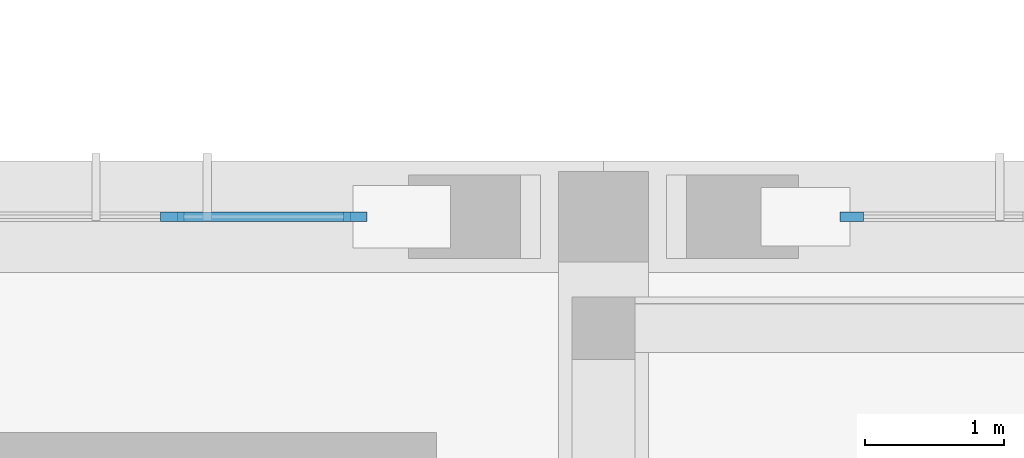
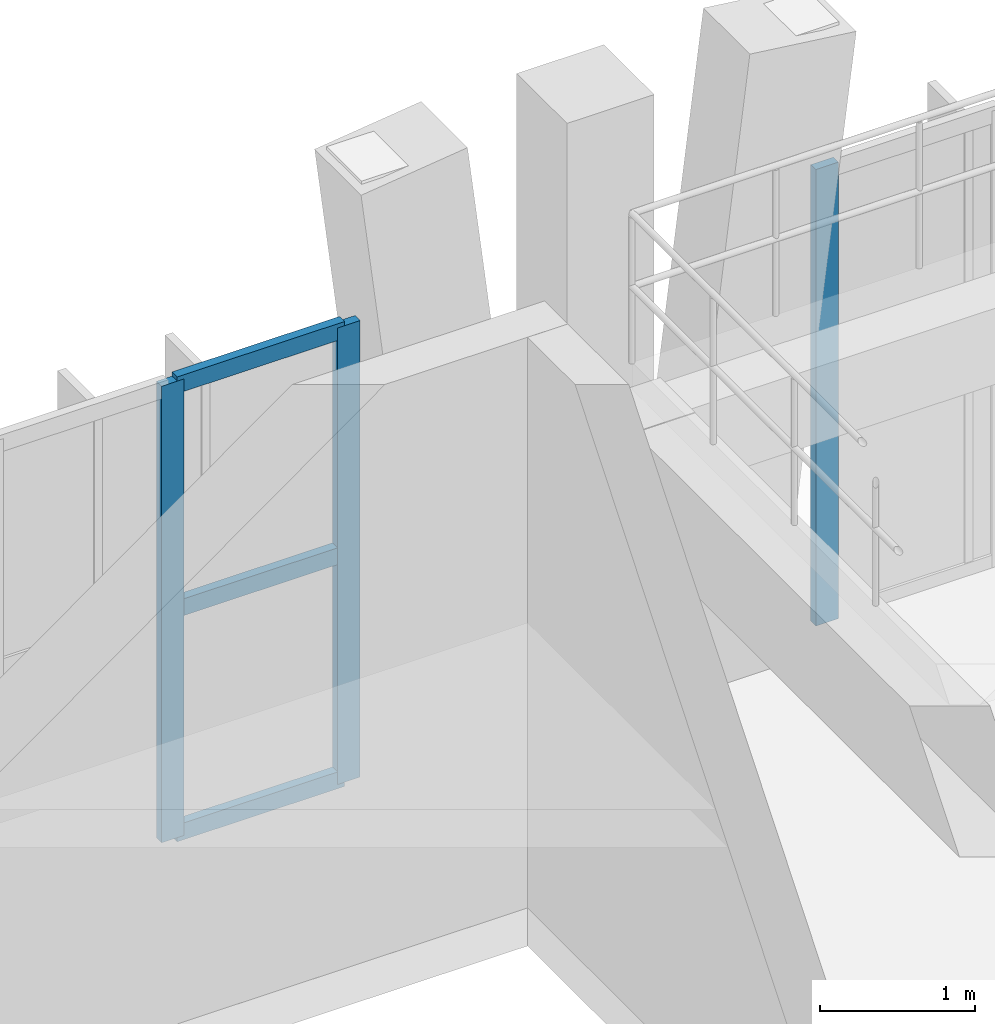
# One storey, part 21 of 81: 6 members, 2 elements without a shape of their own.
"""IFC4 building model written with IfcOpenShell, lengths in metres."""

from ifc_helpers import new_model, si_unit, direction, frame, origin, origin_2d, place, context, subcontext, project, spatial, rectangle, extrude, material, material_profile, profile_set, type_object, element, aggregate, save


model = new_model("IFC4")

# Units and contexts
model_context = context("Model", 3, precision=1e-05, world=origin(), true_north=direction((0.0, 1.0)))
body_context = subcontext(model_context, "Body", "Model", "MODEL_VIEW")
ifc_project = project(units=[si_unit("LENGTHUNIT", "METRE"), si_unit("AREAUNIT", "SQUARE_METRE"), si_unit("VOLUMEUNIT", "CUBIC_METRE"), si_unit("PLANEANGLEUNIT", "RADIAN"), si_unit("MASSUNIT", "GRAM", prefix="KILO")], contexts=[model_context])

# Site, building, storey
site_placement = place(None, origin())
site = spatial("IfcSite", under=ifc_project, at=site_placement, CompositionType="ELEMENT")
building_placement = place(site_placement, origin())
building = spatial("IfcBuilding", under=site, at=building_placement, Name="Vourika Railside Aquatics Centre", CompositionType="ELEMENT")
storey_placement = place(building_placement, frame((0.0, 0.0, 4.800048828125)))
storey = spatial("IfcBuildingStorey", under=building, at=storey_placement, Name="L01", CompositionType="ELEMENT", Elevation=4.800048828125)

# Curtain wall, members
ifc_material_1 = material(Name="Anodized thermally broken aluminium", Category="aluminium")
curtain_wall_type = type_object("IfcCurtainWallType", Name="CW-CRT1", PredefinedType="NOTDEFINED", material=ifc_material_1)
curtain_wall_1_placement = place(storey_placement, origin())
curtain_wall_1 = element("IfcCurtainWall", 1, at=curtain_wall_1_placement, inside=storey, type_object=curtain_wall_type, Name="Spectator Concourse Courtyard Curtain Wall 12", PredefinedType="NOTDEFINED")
ifc_material_2 = material(Name="Anodized aluminium mullion", Category="aluminium")
ifc_material_profile_1 = material_profile(ifc_material_2, rectangle(XDim=0.06591796875, YDim=0.16796875, at=origin_2d()), Name="ALU-M 66x168")
ifc_profile_set_1 = profile_set([ifc_material_profile_1], Name="Anodized aluminium mullion")
member_type_1 = type_object("IfcMemberType", Name="CWM-CRT1", PredefinedType="MULLION", material=ifc_profile_set_1)
member_1_placement = place(storey_placement, frame((124.217041015625, 66.0, 0.0), z_axis=(0.0, 0.0, 1.0), x_axis=(0.0, -1.0, 0.0)))
member_1 = element("IfcMember", 2, at=member_1_placement, type_object=member_type_1, Name="CW13 mullion 1", PredefinedType="MULLION", context=body_context, shape_type="SweptSolid", body=[
    extrude(rectangle(XDim=0.06591796875, YDim=0.16796875, at=origin_2d()), origin(), (0.0, 0.0, 1.0), 3.599853515625),
])
member_2_placement = place(storey_placement, frame((122.902587890625, 66.0, 0.0), z_axis=(0.0, 0.0, 1.0), x_axis=(0.0, -1.0, 0.0)))
member_2 = element("IfcMember", 3, at=member_2_placement, type_object=member_type_1, Name="CW13 mullion 2", PredefinedType="MULLION", context=body_context, shape_type="SweptSolid", body=[
    extrude(rectangle(XDim=0.06591796875, YDim=0.16796875, at=origin_2d()), origin(), (0.0, 0.0, 1.0), 3.599853515625),
])

# Curtain wall, member
curtain_wall_2_placement = place(storey_placement, origin())
curtain_wall_2 = element("IfcCurtainWall", 4, at=curtain_wall_2_placement, inside=storey, type_object=curtain_wall_type, Name="Spectator Concourse Courtyard Curtain Wall 13", PredefinedType="NOTDEFINED")
member_3_placement = place(storey_placement, frame((127.782958984375, 66.0, 0.0), z_axis=(0.0, 0.0, 1.0), x_axis=(0.0, -1.0, 0.0)))
member_3 = element("IfcMember", 5, at=member_3_placement, type_object=member_type_1, Name="CW13 mullion 5", PredefinedType="MULLION", context=body_context, shape_type="SweptSolid", body=[
    extrude(rectangle(XDim=0.06591796875, YDim=0.16796875, at=origin_2d()), origin(), (0.0, 0.0, 1.0), 3.599853515625),
])
aggregate(curtain_wall_2, [member_3])

# Member
ifc_material_3 = material(Name="Anodized aluminium transom", Category="aluminium")
ifc_material_profile_2 = material_profile(ifc_material_3, rectangle(XDim=0.06591796875, YDim=0.132080078125, at=origin_2d()), Name="ALU-T 66x132")
ifc_profile_set_2 = profile_set([ifc_material_profile_2], Name="Anodized aluminium transom")
member_type_2 = type_object("IfcMemberType", Name="CWT-CRT1", PredefinedType="USERDEFINED", material=ifc_profile_set_2)
member_4_placement = place(storey_placement, frame((124.18408203125, 66.0, 0.032958984375), z_axis=(-1.0, 0.0, 0.0), x_axis=(0.0, -1.0, 0.0)))
member_4 = element("IfcMember", 6, at=member_4_placement, type_object=member_type_2, Name="CW13 transom 1.1", ObjectType="TRANSOM", PredefinedType="USERDEFINED", context=body_context, shape_type="SweptSolid", body=[
    extrude(rectangle(XDim=0.06591796875, YDim=0.132080078125, at=origin_2d()), origin(), (0.0, 0.0, 1.0), 1.24853515625),
])

member_5_placement = place(storey_placement, frame((124.18408203125, 66.0, 1.800048828125), z_axis=(-1.0, 0.0, 0.0), x_axis=(0.0, -1.0, 0.0)))
member_5 = element("IfcMember", 7, at=member_5_placement, type_object=member_type_2, Name="CW13 transom 1.2", ObjectType="TRANSOM", PredefinedType="USERDEFINED", context=body_context, shape_type="SweptSolid", body=[
    extrude(rectangle(XDim=0.06591796875, YDim=0.132080078125, at=origin_2d()), origin(), (0.0, 0.0, 1.0), 1.24853515625),
])

member_6_placement = place(storey_placement, frame((124.18408203125, 66.0, 3.56689453125), z_axis=(-1.0, 0.0, 0.0), x_axis=(0.0, -1.0, 0.0)))
member_6 = element("IfcMember", 8, at=member_6_placement, type_object=member_type_2, Name="CW13 transom 1.3", ObjectType="TRANSOM", PredefinedType="USERDEFINED", context=body_context, shape_type="SweptSolid", body=[
    extrude(rectangle(XDim=0.06591796875, YDim=0.132080078125, at=origin_2d()), origin(), (0.0, 0.0, 1.0), 1.24853515625),
])

aggregate(curtain_wall_1, [member_1, member_2, member_4, member_5, member_6])

save(model, "model.ifc")
